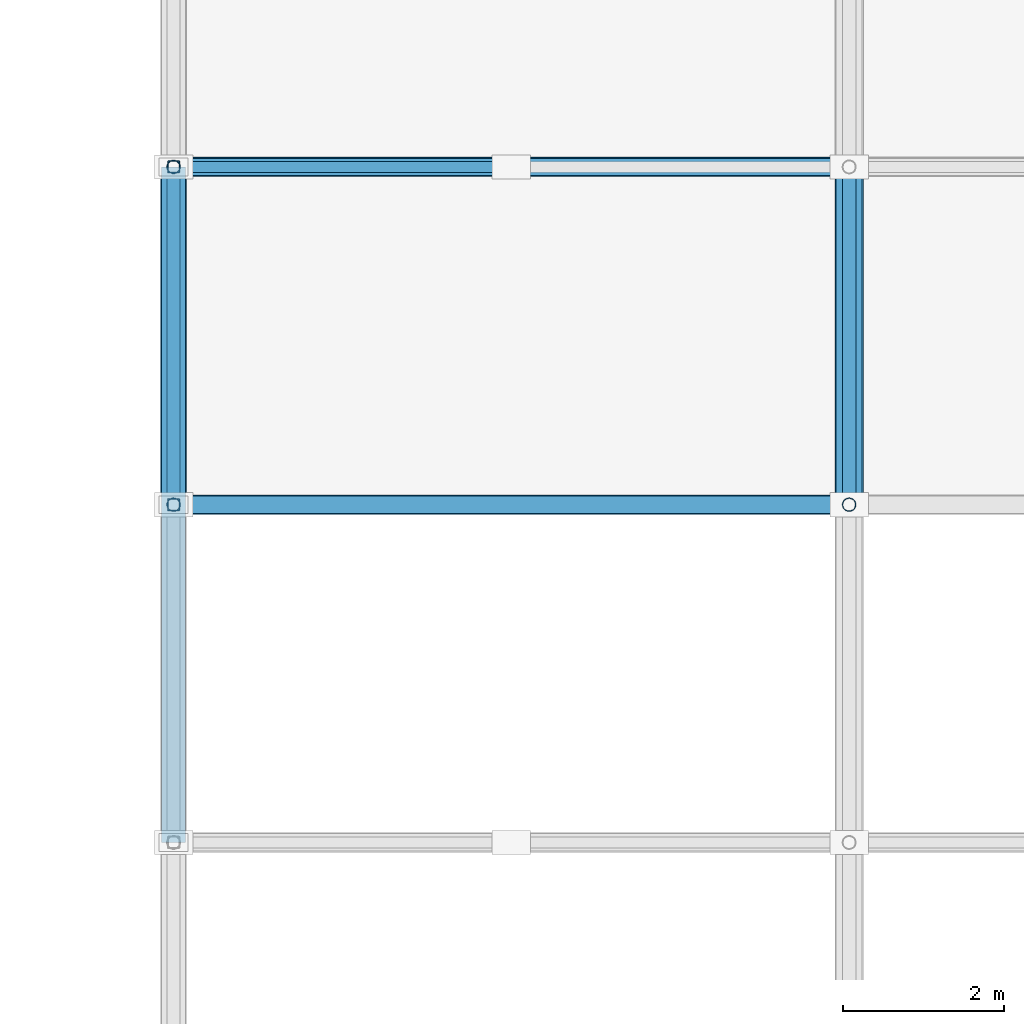
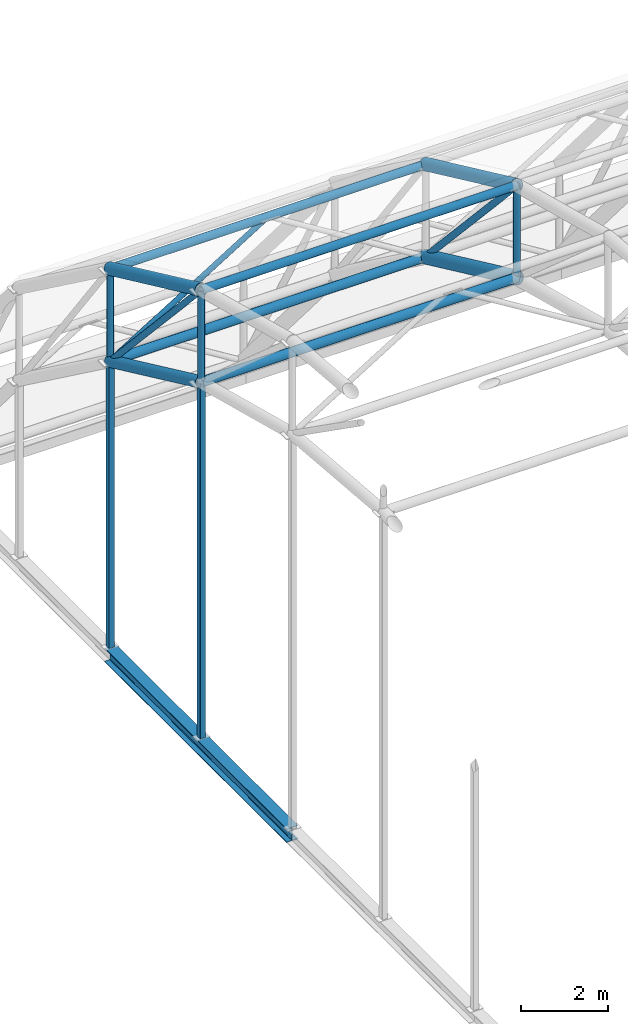
# One storey, part 15 of 103: 12 members, 5 beams.
"""IFC4 building model written with IfcOpenShell, lengths in metres."""

import ifcopenshell
import ifcopenshell.guid

model = None  # the IFC model being written
_history = None  # IfcOwnerHistory: only IFC2X3 demands one
_inside = {}  # id of a spatial element -> (the spatial element, [elements in it])
_under = {}  # id of a project, library or spatial element -> (it, [spatial elements below it])
_declared = {}  # id of a project -> (the project, [libraries it declares])
_typed = {}  # id of a type object -> (the type object, [elements of that type])
_made_of = {}  # id of a material, layer set ... -> (it, [elements and type objects made of it])


def new_model(schema):
    """Start an empty IFC model of exactly this schema.

    Asked for "IFC4X3", IfcOpenShell would pick the latest addendum, in which some entities
    have other attributes; the version numbers below select the first issue.
    IFC2X3 requires an IfcOwnerHistory on every rooted entity: one is made here for all.
    """
    global model, _history
    if schema == "IFC4X3":
        model = ifcopenshell.file(schema_version=(4, 3, 0, 0))
    else:
        model = ifcopenshell.file(schema=schema)
    _inside.clear()
    _under.clear()
    _declared.clear()
    _typed.clear()
    _made_of.clear()
    _history = None
    if model.schema == "IFC2X3":
        org = make("IfcOrganization", Name="unknown")
        user = make(
            "IfcPersonAndOrganization",
            ThePerson=make("IfcPerson", FamilyName="unknown"),
            TheOrganization=org,
        )
        app = make(
            "IfcApplication",
            ApplicationDeveloper=org,
            Version="unknown",
            ApplicationFullName="unknown",
            ApplicationIdentifier="unknown",
        )
        _history = make(
            "IfcOwnerHistory",
            OwningUser=user,
            OwningApplication=app,
            ChangeAction="ADDED",
            CreationDate=0,
        )
    return model


def make(cls, **values):
    """One entity of the class cls with the attributes given. An attribute that is None is left unset."""
    return model.create_entity(
        cls, **{name: value for name, value in values.items() if value is not None}
    )


def rooted(cls, **values):
    """An entity with a GlobalId (a new one), such as an element, a storey or a relation."""
    return make(cls, GlobalId=ifcopenshell.guid.new(), OwnerHistory=_history, **values)


def si_unit(unit_type, name, prefix=None):
    """IfcSIUnit, for example si_unit("LENGTHUNIT", "METRE", prefix="MILLI")."""
    return make("IfcSIUnit", UnitType=unit_type, Prefix=prefix, Name=name)


def assignment(units):
    """IfcUnitAssignment: the units of a project."""
    return None if units is None else make("IfcUnitAssignment", Units=units)


def point(xyz):
    """IfcCartesianPoint."""
    return None if xyz is None else make("IfcCartesianPoint", Coordinates=xyz)


def direction(xyz):
    """IfcDirection."""
    return None if xyz is None else make("IfcDirection", DirectionRatios=xyz)


def frame(location, z_axis=None, x_axis=None):
    """IfcAxis2Placement3D, a coordinate frame: its origin and axes. An axis left out is left unset."""
    return make(
        "IfcAxis2Placement3D",
        Location=point(location),
        Axis=direction(z_axis),
        RefDirection=direction(x_axis),
    )


def frame_2d(location, x_axis=None):
    """IfcAxis2Placement2D, a coordinate frame in the plane: its origin and x axis."""
    return make(
        "IfcAxis2Placement2D", Location=point(location), RefDirection=direction(x_axis)
    )


def origin():
    """The frame at (0, 0, 0) with its axes left unset."""
    return frame((0.0, 0.0, 0.0))


def origin_2d():
    """The frame at (0, 0) in the plane with its x axis left unset."""
    return frame_2d((0.0, 0.0))


def place(relative_to, where):
    """IfcLocalPlacement: puts the frame where relative to a parent placement (None: the world)."""
    return make(
        "IfcLocalPlacement", PlacementRelTo=relative_to, RelativePlacement=where
    )


def context(
    kind, dimensions, precision=None, world=None, true_north=None, identifier=None
):
    """IfcGeometricRepresentationContext, for example the 3D "Model" context."""
    return make(
        "IfcGeometricRepresentationContext",
        ContextIdentifier=identifier,
        ContextType=kind,
        CoordinateSpaceDimension=dimensions,
        Precision=precision,
        WorldCoordinateSystem=world,
        TrueNorth=true_north,
    )


def subcontext(parent, identifier, kind, view, scale=None):
    """IfcGeometricRepresentationSubContext, for example "Body" below "Model"."""
    return make(
        "IfcGeometricRepresentationSubContext",
        ContextIdentifier=identifier,
        ContextType=kind,
        ParentContext=parent,
        TargetScale=scale,
        TargetView=view,
    )


def project(units=None, contexts=None):
    """IfcProject with its units and contexts."""
    return rooted(
        "IfcProject",
        Name="project",
        RepresentationContexts=contexts,
        UnitsInContext=assignment(units),
    )


def spatial(cls, under=None, at=None, **own):
    """A site, building, storey or space (cls), placed at a placement, below another one or the project."""
    s = rooted(cls, ObjectPlacement=at, **own)
    if under is not None:
        _under.setdefault(under.id(), (under, []))[1].append(s)
    return s


def profile(cls, at=None, kind="AREA", **sizes):
    """A parametric profile (cls). Its sizes go by their IFC names, for example OverallWidth=200.0."""
    return make(cls, ProfileType=kind, Position=at, **sizes)


def hollow_rectangle(**sizes):
    """IfcRectangleHollowProfileDef."""
    return profile("IfcRectangleHollowProfileDef", **sizes)


def hollow_circle(**sizes):
    """IfcCircleHollowProfileDef."""
    return profile("IfcCircleHollowProfileDef", **sizes)


def i_section(**sizes):
    """IfcIShapeProfileDef."""
    return profile("IfcIShapeProfileDef", **sizes)


def extrude(swept, where, along, depth):
    """IfcExtrudedAreaSolid: the profile swept, set in the frame where, extruded along a direction by depth."""
    return make(
        "IfcExtrudedAreaSolid",
        SweptArea=swept,
        Position=where,
        ExtrudedDirection=direction(along),
        Depth=depth,
    )


def shape(context_of_items, identifier, shape_type, items):
    """IfcShapeRepresentation: the items that make up one representation, for example the "Body"."""
    return make(
        "IfcShapeRepresentation",
        ContextOfItems=context_of_items,
        RepresentationIdentifier=identifier,
        RepresentationType=shape_type,
        Items=items,
    )


def material(Name=None, Category=None):
    """IfcMaterial."""
    return make("IfcMaterial", Name=Name, Category=Category)


def material_profile(
    of_material, cross_section, Name=None, Category=None, Priority=None
):
    """IfcMaterialProfile: a cross section and its material."""
    return make(
        "IfcMaterialProfile",
        Name=Name,
        Material=of_material,
        Profile=cross_section,
        Priority=Priority,
        Category=Category,
    )


def profile_set(profiles, Name=None, composite=None):
    """IfcMaterialProfileSet."""
    return make(
        "IfcMaterialProfileSet",
        Name=Name,
        MaterialProfiles=profiles,
        CompositeProfile=composite,
    )


def made_of(thing, what):
    """Note that an element or type object is made of a material, layer set ...; save() writes the relation."""
    if what is not None:
        _made_of.setdefault(what.id(), (what, []))[1].append(thing)
    return thing


def type_object(cls, material=None, **own):
    """A type object (cls), such as IfcWallType, which elements share."""
    return made_of(rooted(cls, **own), material)


def element(
    cls,
    number,
    at=None,
    inside=None,
    cuts=None,
    type_object=None,
    material=None,
    context=None,
    identifier="Body",
    shape_type=None,
    held_by="IfcProductDefinitionShape",
    body=None,
    shapes=None,
    **own,
):
    """One element of the class cls, such as IfcWall. Its Tag is "e" and its number.

    at: its placement. inside: the storey or other place that contains it. cuts: it is an
    opening in that element (IfcRelVoidsElement). A single representation is given by context,
    identifier, shape_type and body (its items); several are given by shapes. held_by: the class
    of the entity that holds the representations. save() writes the other relations.
    """
    e = rooted(cls, Tag="e%d" % number, ObjectPlacement=at, **own)
    if body is not None:
        shapes = [shape(context, identifier, shape_type, body)]
    if shapes is not None:
        e.Representation = make(held_by, Representations=shapes)
    if inside is not None:
        _inside.setdefault(inside.id(), (inside, []))[1].append(e)
    if cuts is not None:
        rooted(
            "IfcRelVoidsElement", RelatingBuildingElement=cuts, RelatedOpeningElement=e
        )
    if type_object is not None:
        _typed.setdefault(type_object.id(), (type_object, []))[1].append(e)
    return made_of(e, material)


def aggregate(whole, parts):
    """IfcRelAggregates: a whole, such as a stair, and the parts it consists of."""
    return rooted("IfcRelAggregates", RelatingObject=whole, RelatedObjects=parts)


def save(model, path):
    """Write the relations noted so far, then the file.

    IfcRelAggregates (storeys below a building ...), IfcRelContainedInSpatialStructure (elements
    in a storey), IfcRelDefinesByType, IfcRelAssociatesMaterial and IfcRelDeclares: one each for
    every whole, place, type object, material and project.
    """
    for whole, parts in _under.values():
        aggregate(whole, parts)
    for where, things in _inside.values():
        rooted(
            "IfcRelContainedInSpatialStructure",
            RelatedElements=things,
            RelatingStructure=where,
        )
    for kind, things in _typed.values():
        rooted("IfcRelDefinesByType", RelatedObjects=things, RelatingType=kind)
    for what, things in _made_of.values():
        rooted("IfcRelAssociatesMaterial", RelatedObjects=things, RelatingMaterial=what)
    for by, libraries in _declared.values():
        rooted("IfcRelDeclares", RelatingContext=by, RelatedDefinitions=libraries)
    model.write(path)


model = new_model("IFC4")

# Units and contexts
model_context = context("Model", 3, precision=1e-05, world=origin(), true_north=direction((0.0, 1.0)))
body_context = subcontext(model_context, "Body", "Model", "MODEL_VIEW")
ifc_project = project(units=[si_unit("LENGTHUNIT", "METRE"), si_unit("AREAUNIT", "SQUARE_METRE"), si_unit("VOLUMEUNIT", "CUBIC_METRE"), si_unit("PLANEANGLEUNIT", "RADIAN"), si_unit("MASSUNIT", "GRAM", prefix="KILO")], contexts=[model_context])

# Site, building, storey
site_placement = place(None, origin())
site = spatial("IfcSite", under=ifc_project, at=site_placement, CompositionType="ELEMENT")
building_placement = place(site_placement, origin())
building = spatial("IfcBuilding", under=site, at=building_placement, Name="Varnapada Polytechnic", CompositionType="ELEMENT")
storey_placement = place(building_placement, frame((0.0, 0.0, 18.0)))
storey = spatial("IfcBuildingStorey", under=building, at=storey_placement, Name="L04", CompositionType="ELEMENT", Elevation=18.0)

# Members
ifc_material = material(Name="Steel S355", Category="steel")
ifc_material_profile_1 = material_profile(ifc_material, hollow_rectangle(XDim=0.14990234375, YDim=0.14990234375, WallThickness=0.00634765625, InnerFilletRadius=0.006103515625, OuterFilletRadius=0.011962890625, at=origin_2d()), Name="SHS 150x150x6.3")
ifc_profile_set_1 = profile_set([ifc_material_profile_1], Name="Steel S355")
member_type_1 = type_object("IfcMemberType", Name="Sawtooth north-light mullion post SFP-02 (SHS 150x150x6.3)", PredefinedType="POST", material=ifc_profile_set_1)
member_1_placement = place(storey_placement, frame((50.39990234375, 113.39990234375, 0.0), z_axis=(0.0, 0.0, 1.0), x_axis=(1.0, 0.0, 0.0)))
element("IfcMember", 1, at=member_1_placement, inside=storey, type_object=member_type_1, Name="Workshop arch tympanum mullion W.7", PredefinedType="POST", context=body_context, shape_type="SweptSolid", body=[
    extrude(hollow_rectangle(XDim=0.14990234375, YDim=0.14990234375, WallThickness=0.00634765625, InnerFilletRadius=0.006103515625, OuterFilletRadius=0.011962890625, at=origin_2d()), origin(), (0.0, 0.0, 1.0), 9.98193359375),
])
member_2_placement = place(storey_placement, frame((50.39990234375, 117.60009765625, 0.0), z_axis=(0.0, 0.0, 1.0), x_axis=(1.0, 0.0, 0.0)))
element("IfcMember", 2, at=member_2_placement, inside=storey, type_object=member_type_1, Name="Workshop arch tympanum mullion W.8", PredefinedType="POST", context=body_context, shape_type="SweptSolid", body=[
    extrude(hollow_rectangle(XDim=0.14990234375, YDim=0.14990234375, WallThickness=0.00634765625, InnerFilletRadius=0.006103515625, OuterFilletRadius=0.011962890625, at=origin_2d()), origin(), (0.0, 0.0, 1.0), 8.02783203125),
])

# Beam
ifc_material_profile_2 = material_profile(ifc_material, hollow_circle(Radius=0.149169921875, WallThickness=0.010009765625, at=origin_2d()), Name="CHS 298.5x10.0")
ifc_profile_set_2 = profile_set([ifc_material_profile_2], Name="Steel S355")
beam_type_1 = type_object("IfcBeamType", Name="Space frame end-bay arch rib VA-04 (CHS 298.5x10.0)", PredefinedType="BEAM", material=ifc_profile_set_2)
beam_1_placement = place(storey_placement, frame((50.39990234375, 113.39990234375, 9.98193359375), z_axis=(0.0, 0.906677989805, -0.421823449802), x_axis=(-1.0, 0.0, 0.0)))
element("IfcBeam", 3, at=beam_1_placement, inside=storey, type_object=beam_type_1, Name="Vaulted space frame bottom arch chord 1.8", PredefinedType="BEAM", context=body_context, shape_type="SweptSolid", body=[
    extrude(hollow_circle(Radius=0.149169921875, WallThickness=0.010009765625, at=origin_2d()), origin(), (0.0, 0.0, 1.0), 4.632568359375),
])

# Member
ifc_material_profile_3 = material_profile(ifc_material, hollow_circle(Radius=0.07958984375, WallThickness=0.00634765625, at=origin_2d()), Name="CHS 159.0x6.3")
ifc_profile_set_3 = profile_set([ifc_material_profile_3], Name="Steel S355")
member_type_2 = type_object("IfcMemberType", Name="Space frame perimeter web diagonal SFB-03 (CHS 159.0x6.3)", PredefinedType="BRACE", material=ifc_profile_set_3)
member_3_placement = place(storey_placement, frame((50.39990234375, 113.39990234375, 12.581787109375), z_axis=(0.0, 0.677978881407, -0.735081380777), x_axis=(-1.0, 0.0, 0.0)))
element("IfcMember", 4, at=member_3_placement, inside=storey, type_object=member_type_2, Name="Vaulted space frame web diagonal 1.8", PredefinedType="BRACE", context=body_context, shape_type="SweptSolid", body=[
    extrude(hollow_circle(Radius=0.07958984375, WallThickness=0.00634765625, at=origin_2d()), origin(), (0.0, 0.0, 1.0), 6.195068359375),
])

# Beam
ifc_material_profile_4 = material_profile(ifc_material, i_section(OverallWidth=0.300048828125, OverallDepth=0.389892578125, WebThickness=0.010986328125, FlangeThickness=0.01904296875, FilletRadius=0.027099609375, at=origin_2d()), Name="HEA 400")
ifc_profile_set_4 = profile_set([ifc_material_profile_4], Name="Steel S355")
beam_type_2 = type_object("IfcBeamType", Name="Steel roof primary girder SG-01 (HEA 400)", PredefinedType="BEAM", material=ifc_profile_set_4)
beam_2_placement = place(storey_placement, frame((50.39990234375, 109.199951171875, -0.18994140625), z_axis=(0.0, 1.0, 0.0), x_axis=(-1.0, 0.0, 0.0)))
element("IfcBeam", 5, at=beam_2_placement, inside=storey, type_object=beam_type_2, Name="L04 workshop arch tympanum sill girder W.4", PredefinedType="BEAM", context=body_context, shape_type="SweptSolid", body=[
    extrude(i_section(OverallWidth=0.300048828125, OverallDepth=0.389892578125, WebThickness=0.010986328125, FlangeThickness=0.01904296875, FilletRadius=0.027099609375, at=origin_2d()), origin(), (0.0, 0.0, 1.0), 8.400146484375),
])

# Members
ifc_material_profile_5 = material_profile(ifc_material, hollow_circle(Radius=0.122314453125, WallThickness=0.008056640625, at=origin_2d()), Name="CHS 244.5x8.0")
ifc_profile_set_5 = profile_set([ifc_material_profile_5], Name="Steel S355")
member_type_3 = type_object("IfcMemberType", Name="Vaulted space frame longitudinal bottom chord SFC-01 (CHS 244.5x8.0)", PredefinedType="CHORD", material=ifc_profile_set_5)
for number, where, z_axis, x_axis, name in (
    (6, (50.39990234375, 113.39990234375, 9.98193359375), (1.0, 0.0, 0.0), (0.0, 1.0, 0.0), "Vaulted space frame longitudinal bottom chord 1.8"),
    (7, (50.39990234375, 117.60009765625, 8.02783203125), (1.0, 0.0, 0.0), (0.0, 1.0, 0.0), "Vaulted space frame longitudinal bottom chord 1.9"),
):
    element("IfcMember", number, at=place(storey_placement, frame(where, z_axis=z_axis, x_axis=x_axis)), inside=storey, type_object=member_type_3, Name=name, PredefinedType="CHORD", context=body_context, shape_type="SweptSolid", body=[
        extrude(hollow_circle(Radius=0.122314453125, WallThickness=0.008056640625, at=origin_2d()), origin(), (0.0, 0.0, 1.0), 8.400146484375),
    ])
ifc_material_profile_6 = material_profile(ifc_material, hollow_circle(Radius=0.109619140625, WallThickness=0.008056640625, at=origin_2d()), Name="CHS 219.1x8.0")
ifc_profile_set_6 = profile_set([ifc_material_profile_6], Name="Steel S355")
member_type_4 = type_object("IfcMemberType", Name="Vaulted space frame longitudinal top chord SFC-02 (CHS 219.1x8.0)", PredefinedType="CHORD", material=ifc_profile_set_6)
for number, where, z_axis, x_axis, name in (
    (8, (50.39990234375, 113.39990234375, 12.581787109375), (1.0, 0.0, 0.0), (0.0, 1.0, 0.0), "Vaulted space frame longitudinal top chord 1.8"),
    (9, (50.39990234375, 117.60009765625, 10.6279296875), (1.0, 0.0, 0.0), (0.0, 1.0, 0.0), "Vaulted space frame longitudinal top chord 1.9"),
):
    element("IfcMember", number, at=place(storey_placement, frame(where, z_axis=z_axis, x_axis=x_axis)), inside=storey, type_object=member_type_4, Name=name, PredefinedType="CHORD", context=body_context, shape_type="SweptSolid", body=[
        extrude(hollow_circle(Radius=0.109619140625, WallThickness=0.008056640625, at=origin_2d()), origin(), (0.0, 0.0, 1.0), 8.400146484375),
    ])

# Beam
ifc_material_profile_7 = material_profile(ifc_material, hollow_circle(Radius=0.177734375, WallThickness=0.012451171875, at=origin_2d()), Name="CHS 355.6x12.5")
ifc_profile_set_7 = profile_set([ifc_material_profile_7], Name="Steel S355")
beam_type_3 = type_object("IfcBeamType", Name="Vaulted space frame primary arch rib VA-01 (CHS 355.6x12.5)", PredefinedType="BEAM", material=ifc_profile_set_7)
beam_3_placement = place(storey_placement, frame((58.800048828125, 113.39990234375, 9.98193359375), z_axis=(0.0, 0.906677989805, -0.421823449802), x_axis=(-1.0, 0.0, 0.0)))
element("IfcBeam", 10, at=beam_3_placement, inside=storey, type_object=beam_type_3, Name="Vaulted space frame bottom arch chord 2.8", PredefinedType="BEAM", context=body_context, shape_type="SweptSolid", body=[
    extrude(hollow_circle(Radius=0.177734375, WallThickness=0.012451171875, at=origin_2d()), origin(), (0.0, 0.0, 1.0), 4.632568359375),
])

# Members
ifc_material_profile_8 = material_profile(ifc_material, hollow_circle(Radius=0.084228515625, WallThickness=0.00634765625, at=origin_2d()), Name="CHS 168.3x6.3")
ifc_profile_set_8 = profile_set([ifc_material_profile_8], Name="Steel S355")
member_type_5 = type_object("IfcMemberType", Name="Vaulted space frame primary web diagonal SFB-01 (CHS 168.3x6.3)", PredefinedType="BRACE", material=ifc_profile_set_8)
member_4_placement = place(storey_placement, frame((58.800048828125, 113.39990234375, 12.581787109375), z_axis=(0.0, 0.677978881407, -0.735081380777), x_axis=(-1.0, 0.0, 0.0)))
element("IfcMember", 11, at=member_4_placement, inside=storey, type_object=member_type_5, Name="Vaulted space frame web diagonal 2.8", PredefinedType="BRACE", context=body_context, shape_type="SweptSolid", body=[
    extrude(hollow_circle(Radius=0.084228515625, WallThickness=0.00634765625, at=origin_2d()), origin(), (0.0, 0.0, 1.0), 6.195068359375),
])
ifc_material_profile_9 = material_profile(ifc_material, hollow_circle(Radius=0.084228515625, WallThickness=0.00634765625, at=origin_2d()), Name="CHS 168.3x6.3")
ifc_profile_set_9 = profile_set([ifc_material_profile_9], Name="Steel S355")
member_type_6 = type_object("IfcMemberType", Name="Vaulted space frame radial web strut SFS-01 (CHS 168.3x6.3)", PredefinedType="STRUT", material=ifc_profile_set_9)
member_5_placement = place(storey_placement, frame((50.39990234375, 113.39990234375, 9.98193359375), z_axis=(0.0, 0.0, 1.0), x_axis=(1.0, 0.0, 0.0)))
element("IfcMember", 12, at=member_5_placement, inside=storey, type_object=member_type_6, Name="Vaulted space frame strut 1.8", PredefinedType="STRUT", context=body_context, shape_type="SweptSolid", body=[
    extrude(hollow_circle(Radius=0.084228515625, WallThickness=0.00634765625, at=origin_2d()), origin(), (0.0, 0.0, 1.0), 2.599853515625),
])
member_6_placement = place(storey_placement, frame((50.39990234375, 117.60009765625, 8.02783203125), z_axis=(0.0, 0.0, 1.0), x_axis=(1.0, 0.0, 0.0)))
element("IfcMember", 13, at=member_6_placement, inside=storey, type_object=member_type_6, Name="Vaulted space frame strut 1.9", PredefinedType="STRUT", context=body_context, shape_type="SweptSolid", body=[
    extrude(hollow_circle(Radius=0.084228515625, WallThickness=0.00634765625, at=origin_2d()), origin(), (0.0, 0.0, 1.0), 2.60009765625),
])
member_7_placement = place(storey_placement, frame((58.800048828125, 113.39990234375, 9.98193359375), z_axis=(0.0, 0.0, 1.0), x_axis=(1.0, 0.0, 0.0)))
element("IfcMember", 14, at=member_7_placement, inside=storey, type_object=member_type_6, Name="Vaulted space frame strut 2.8", PredefinedType="STRUT", context=body_context, shape_type="SweptSolid", body=[
    extrude(hollow_circle(Radius=0.084228515625, WallThickness=0.00634765625, at=origin_2d()), origin(), (0.0, 0.0, 1.0), 2.599853515625),
])
ifc_material_profile_10 = material_profile(ifc_material, hollow_circle(Radius=0.06982421875, WallThickness=0.0048828125, at=origin_2d()), Name="CHS 139.7x5.0")
ifc_profile_set_10 = profile_set([ifc_material_profile_10], Name="Steel S355")
member_type_7 = type_object("IfcMemberType", Name="Vaulted space frame secondary web diagonal SFB-02 (CHS 139.7x5.0)", PredefinedType="BRACE", material=ifc_profile_set_10)
member_8_placement = place(storey_placement, frame((50.39990234375, 117.60009765625, 8.02783203125), z_axis=(0.85026725322, 0.0, 0.526351211741), x_axis=(0.0, 1.0, 0.0)))
element("IfcMember", 15, at=member_8_placement, inside=storey, type_object=member_type_7, Name="Vaulted space frame longitudinal brace 1.9A", PredefinedType="BRACE", context=body_context, shape_type="SweptSolid", body=[
    extrude(hollow_circle(Radius=0.06982421875, WallThickness=0.0048828125, at=origin_2d()), origin(), (0.0, 0.0, 1.0), 4.93994140625),
])

# Beams
ifc_material_profile_11 = material_profile(ifc_material, hollow_circle(Radius=0.161865234375, WallThickness=0.010009765625, at=origin_2d()), Name="CHS 323.9x10.0")
ifc_profile_set_11 = profile_set([ifc_material_profile_11], Name="Steel S355")
beam_type_4 = type_object("IfcBeamType", Name="Vaulted space frame upper arch rib VA-02 (CHS 323.9x10.0)", PredefinedType="BEAM", material=ifc_profile_set_11)
for number, where, z_axis, x_axis, name in (
    (16, (50.39990234375, 113.39990234375, 12.581787109375), (0.0, 0.906698145361, -0.421780124234), (-1.0, 0.0, 0.0), "Vaulted space frame top arch chord 1.8"),
    (17, (58.800048828125, 113.39990234375, 12.581787109375), (0.0, 0.906698145361, -0.421780124234), (-1.0, 0.0, 0.0), "Vaulted space frame top arch chord 2.8"),
):
    element("IfcBeam", number, at=place(storey_placement, frame(where, z_axis=z_axis, x_axis=x_axis)), inside=storey, type_object=beam_type_4, Name=name, PredefinedType="BEAM", context=body_context, shape_type="SweptSolid", body=[
        extrude(hollow_circle(Radius=0.161865234375, WallThickness=0.010009765625, at=origin_2d()), origin(), (0.0, 0.0, 1.0), 4.63232421875),
    ])

save(model, "model.ifc")
